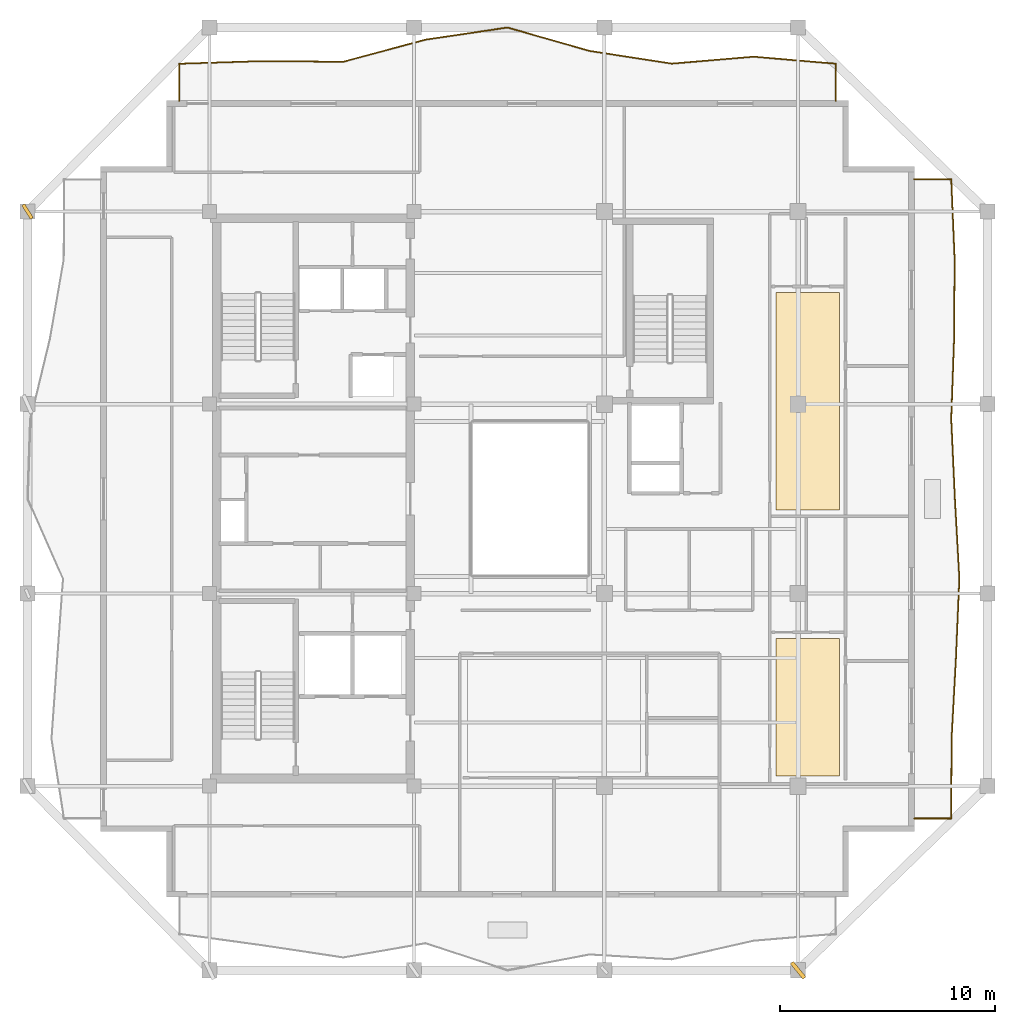
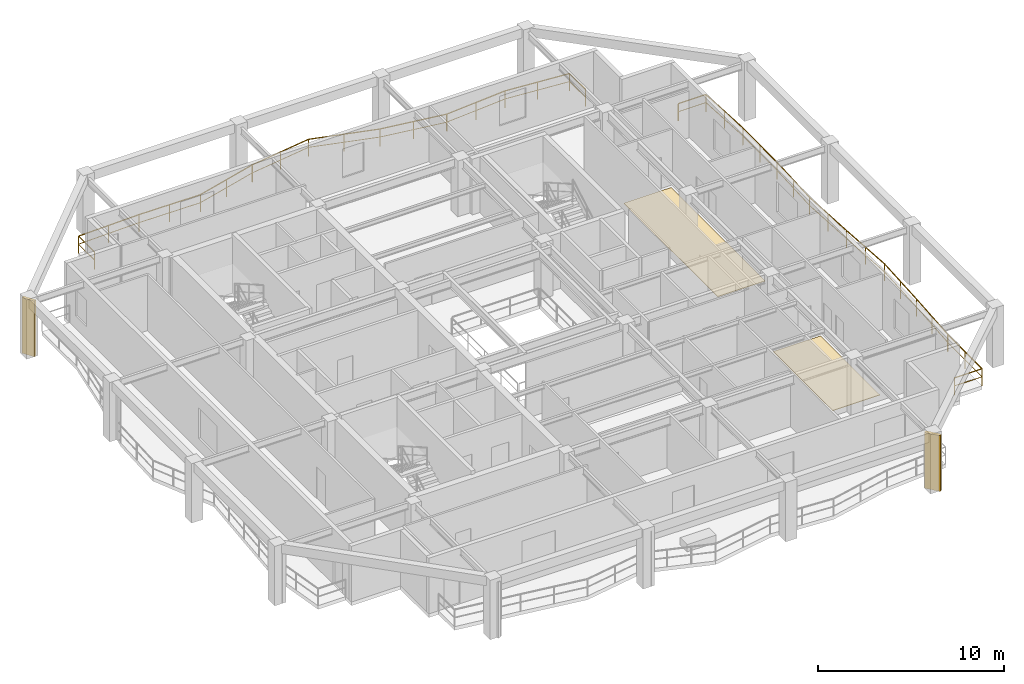
# One storey, part 9 of 10: 2 coverings, 2 railings, 2 shading devices.
"""IFC4 building model written with IfcOpenShell, lengths in metres."""

from ifc_helpers import new_model, si_unit, direction, frame, origin, origin_2d, place, context, subcontext, project, spatial, polyline, rectangle, outline, extrude, material, layer, layer_set, type_object, element, save


model = new_model("IFC4")

# Units and contexts
model_context = context("Model", 3, precision=1e-05, world=origin(), true_north=direction((0.0, 1.0)))
body_context = subcontext(model_context, "Body", "Model", "MODEL_VIEW")
ifc_project = project(units=[si_unit("LENGTHUNIT", "METRE"), si_unit("AREAUNIT", "SQUARE_METRE"), si_unit("VOLUMEUNIT", "CUBIC_METRE"), si_unit("PLANEANGLEUNIT", "RADIAN"), si_unit("MASSUNIT", "GRAM", prefix="KILO")], contexts=[model_context])

# Site, building, storey
site_placement = place(None, origin())
site = spatial("IfcSite", under=ifc_project, at=site_placement, CompositionType="ELEMENT")
building_placement = place(site_placement, origin())
building = spatial("IfcBuilding", under=site, at=building_placement, Name="Kundavana Baori Tower", CompositionType="ELEMENT")
storey_placement = place(building_placement, frame((0.0, 0.0, 272.60009765625)))
storey = spatial("IfcBuildingStorey", under=building, at=storey_placement, Name="L67", CompositionType="ELEMENT", Elevation=272.60009765625)

# Coverings
ifc_material_1 = material(Name="Honed Kota Stone and Terrazzo Flooring", Category="masonry")
ifc_layer = layer(ifc_material_1, 0.030029296875, Name="COV-INT-FLR")
ifc_layer_set = layer_set([ifc_layer], Name="Honed Kota Stone and Terrazzo Flooring")
covering_type = type_object("IfcCoveringType", Name="COV-INT-FLR", PredefinedType="FLOORING", material=ifc_layer_set)
covering_1_placement = place(storey_placement, origin())
element("IfcCovering", 1, at=covering_1_placement, inside=storey, type_object=covering_type, Name="L67 Room Finished Stone Flooring 2", PredefinedType="FLOORING", context=body_context, shape_type="SweptSolid", body=[
    extrude(outline(polyline([(41.780029296875, 15.72998046875), (44.719970703125, 15.72998046875), (44.719970703125, 22.1201171875), (41.780029296875, 22.1201171875), (41.780029296875, 15.72998046875)])), origin(), (0.0, 0.0, 1.0), 0.02978515625),
])
covering_2_placement = place(storey_placement, origin())
element("IfcCovering", 2, at=covering_2_placement, inside=storey, type_object=covering_type, Name="L67 Room Finished Stone Flooring 3", PredefinedType="FLOORING", context=body_context, shape_type="SweptSolid", body=[
    extrude(outline(polyline([(41.780029296875, 28.080078125), (44.719970703125, 28.080078125), (44.719970703125, 38.18994140625), (41.780029296875, 38.18994140625), (41.780029296875, 28.080078125)])), origin(), (0.0, 0.0, 1.0), 0.02978515625),
])

# Railings
ifc_material_2 = material(Name="Architectural Patinated Bronze Metalwork")
railing_type = type_object("IfcRailingType", Name="RL-BAL-1150", PredefinedType="BALUSTRADE", material=ifc_material_2)
railing_1_placement = place(storey_placement, frame((48.199951171875, 43.449951171875, 0.0)))
element("IfcRailing", 3, at=railing_1_placement, inside=storey, type_object=railing_type, Name="L67 Loggia Balcony Balustrade E", PredefinedType="BALUSTRADE", context=body_context, shape_type="SweptSolid", body=[
    extrude(rectangle(XDim=0.048095703125, YDim=0.048095703125, at=origin_2d()), frame((0.0, 0.0, 1.1259765625), z_axis=(1.0, 0.0, 0.0), x_axis=(0.0, 1.0, 0.0)), (0.0, 0.0, 1.0), 1.719970703125),
    extrude(rectangle(XDim=0.03125, YDim=0.03125, at=origin_2d()), frame((0.0, 0.0, 0.597900390625), z_axis=(1.0, 0.0, 0.0), x_axis=(0.0, 1.0, 0.0)), (0.0, 0.0, 1.0), 1.719970703125),
    extrude(rectangle(XDim=0.048095703125, YDim=0.048095703125, at=origin_2d()), frame((1.719970703125, 0.0, 1.1259765625), z_axis=(0.04251611224, -0.999095781294, 0.0), x_axis=(0.999095781294, 0.04251611224, 0.0)), (0.0, 0.0, 1.0), 3.71533203125),
    extrude(rectangle(XDim=0.03125, YDim=0.03125, at=origin_2d()), frame((1.719970703125, 0.0, 0.597900390625), z_axis=(0.04251611224, -0.999095781294, 0.0), x_axis=(0.999095781294, 0.04251611224, 0.0)), (0.0, 0.0, 1.0), 3.71533203125),
    extrude(rectangle(XDim=0.048095703125, YDim=0.048095703125, at=origin_2d()), frame((1.8779296875, -3.7119140625, 1.1259765625), z_axis=(-0.006706404511, -0.999977511816, 0.0), x_axis=(0.999977511816, -0.006706404511, 0.0)), (0.0, 0.0, 1.0), 3.713134765625),
    extrude(rectangle(XDim=0.03125, YDim=0.03125, at=origin_2d()), frame((1.8779296875, -3.7119140625, 0.597900390625), z_axis=(-0.006706404511, -0.999977511816, 0.0), x_axis=(0.999977511816, -0.006706404511, 0.0)), (0.0, 0.0, 1.0), 3.713134765625),
    extrude(rectangle(XDim=0.048095703125, YDim=0.048095703125, at=origin_2d()), frame((1.85302734375, -7.425048828125, 1.1259765625), z_axis=(-0.035813412626, -0.999358493973, 0.0), x_axis=(0.999358493973, -0.035813412626, 0.0)), (0.0, 0.0, 1.0), 3.71533203125),
    extrude(rectangle(XDim=0.03125, YDim=0.03125, at=origin_2d()), frame((1.85302734375, -7.425048828125, 0.597900390625), z_axis=(-0.035813412626, -0.999358493973, 0.0), x_axis=(0.999358493973, -0.035813412626, 0.0)), (0.0, 0.0, 1.0), 3.71533203125),
    extrude(rectangle(XDim=0.048095703125, YDim=0.048095703125, at=origin_2d()), frame((1.719970703125, -11.137939453125, 1.1259765625), z_axis=(0.045795102945, -0.998950853919, 0.0), x_axis=(0.998950853919, 0.045795102945, 0.0)), (0.0, 0.0, 1.0), 3.7158203125),
    extrude(rectangle(XDim=0.03125, YDim=0.03125, at=origin_2d()), frame((1.719970703125, -11.137939453125, 0.597900390625), z_axis=(0.045795102945, -0.998950853919, 0.0), x_axis=(0.998950853919, 0.045795102945, 0.0)), (0.0, 0.0, 1.0), 3.7158203125),
    extrude(rectangle(XDim=0.048095703125, YDim=0.048095703125, at=origin_2d()), frame((1.89013671875, -14.849853515625, 1.1259765625), z_axis=(0.055684593954, -0.998448409281, 0.0), x_axis=(0.998448409281, 0.055684593954, 0.0)), (0.0, 0.0, 1.0), 3.718017578125),
    extrude(rectangle(XDim=0.03125, YDim=0.03125, at=origin_2d()), frame((1.89013671875, -14.849853515625, 0.597900390625), z_axis=(0.055684593954, -0.998448409281, 0.0), x_axis=(0.998448409281, 0.055684593954, 0.0)), (0.0, 0.0, 1.0), 3.718017578125),
    extrude(rectangle(XDim=0.048095703125, YDim=0.048095703125, at=origin_2d()), frame((2.09716796875, -18.56201171875, 1.1259765625), z_axis=(-0.042832826748, -0.999082253347, 0.0), x_axis=(0.999082253347, -0.042832826748, 0.0)), (0.0, 0.0, 1.0), 3.71630859375),
    extrude(rectangle(XDim=0.03125, YDim=0.03125, at=origin_2d()), frame((2.09716796875, -18.56201171875, 0.597900390625), z_axis=(-0.042832826748, -0.999082253347, 0.0), x_axis=(0.999082253347, -0.042832826748, 0.0)), (0.0, 0.0, 1.0), 3.71630859375),
    extrude(rectangle(XDim=0.048095703125, YDim=0.048095703125, at=origin_2d()), frame((1.93798828125, -22.27490234375, 1.1259765625), z_axis=(-0.054295489657, -0.998524911959, 0.0), x_axis=(0.998524911959, -0.054295489657, 0.0)), (0.0, 0.0, 1.0), 3.718505859375),
    extrude(rectangle(XDim=0.03125, YDim=0.03125, at=origin_2d()), frame((1.93798828125, -22.27490234375, 0.597900390625), z_axis=(-0.054295489657, -0.998524911959, 0.0), x_axis=(0.998524911959, -0.054295489657, 0.0)), (0.0, 0.0, 1.0), 3.718505859375),
    extrude(rectangle(XDim=0.048095703125, YDim=0.048095703125, at=origin_2d()), frame((1.736083984375, -25.988037109375, 1.1259765625), z_axis=(-0.004340922005, -0.999990578154, 0.0), x_axis=(0.999990578154, -0.004340922005, 0.0)), (0.0, 0.0, 1.0), 3.7119140625),
    extrude(rectangle(XDim=0.03125, YDim=0.03125, at=origin_2d()), frame((1.736083984375, -25.988037109375, 0.597900390625), z_axis=(-0.004340922005, -0.999990578154, 0.0), x_axis=(0.999990578154, -0.004340922005, 0.0)), (0.0, 0.0, 1.0), 3.7119140625),
    extrude(rectangle(XDim=0.048095703125, YDim=0.048095703125, at=origin_2d()), frame((1.719970703125, -29.699951171875, 1.1259765625), z_axis=(-1.0, 0.0, 0.0), x_axis=(0.0, -1.0, 0.0)), (0.0, 0.0, 1.0), 1.719970703125),
    extrude(rectangle(XDim=0.03125, YDim=0.03125, at=origin_2d()), frame((1.719970703125, -29.699951171875, 0.597900390625), z_axis=(-1.0, 0.0, 0.0), x_axis=(0.0, -1.0, 0.0)), (0.0, 0.0, 1.0), 1.719970703125),
    extrude(rectangle(XDim=0.0419921875, YDim=0.0419921875, at=origin_2d()), origin(), (0.0, 0.0, 1.0), 1.101806640625),
    extrude(rectangle(XDim=0.0419921875, YDim=0.0419921875, at=origin_2d()), frame((1.719970703125, 0.0, 0.0)), (0.0, 0.0, 1.0), 1.101806640625),
    extrude(rectangle(XDim=0.0419921875, YDim=0.0419921875, at=origin_2d()), frame((1.798828125, -1.85595703125, 0.0)), (0.0, 0.0, 1.0), 1.101806640625),
    extrude(rectangle(XDim=0.0419921875, YDim=0.0419921875, at=origin_2d()), frame((1.8779296875, -3.7119140625, 0.0)), (0.0, 0.0, 1.0), 1.101806640625),
    extrude(rectangle(XDim=0.0419921875, YDim=0.0419921875, at=origin_2d()), frame((1.865478515625, -5.568359375, 0.0)), (0.0, 0.0, 1.0), 1.101806640625),
    extrude(rectangle(XDim=0.0419921875, YDim=0.0419921875, at=origin_2d()), frame((1.85302734375, -7.425048828125, 0.0)), (0.0, 0.0, 1.0), 1.101806640625),
    extrude(rectangle(XDim=0.0419921875, YDim=0.0419921875, at=origin_2d()), frame((1.78662109375, -9.281494140625, 0.0)), (0.0, 0.0, 1.0), 1.101806640625),
    extrude(rectangle(XDim=0.0419921875, YDim=0.0419921875, at=origin_2d()), frame((1.719970703125, -11.137939453125, 0.0)), (0.0, 0.0, 1.0), 1.101806640625),
    extrude(rectangle(XDim=0.0419921875, YDim=0.0419921875, at=origin_2d()), frame((1.80517578125, -12.993896484375, 0.0)), (0.0, 0.0, 1.0), 1.101806640625),
    extrude(rectangle(XDim=0.0419921875, YDim=0.0419921875, at=origin_2d()), frame((1.89013671875, -14.849853515625, 0.0)), (0.0, 0.0, 1.0), 1.101806640625),
    extrude(rectangle(XDim=0.0419921875, YDim=0.0419921875, at=origin_2d()), frame((1.99365234375, -16.7060546875, 0.0)), (0.0, 0.0, 1.0), 1.101806640625),
    extrude(rectangle(XDim=0.0419921875, YDim=0.0419921875, at=origin_2d()), frame((2.09716796875, -18.56201171875, 0.0)), (0.0, 0.0, 1.0), 1.101806640625),
    extrude(rectangle(XDim=0.0419921875, YDim=0.0419921875, at=origin_2d()), frame((2.017578125, -20.41845703125, 0.0)), (0.0, 0.0, 1.0), 1.101806640625),
    extrude(rectangle(XDim=0.0419921875, YDim=0.0419921875, at=origin_2d()), frame((1.93798828125, -22.27490234375, 0.0)), (0.0, 0.0, 1.0), 1.101806640625),
    extrude(rectangle(XDim=0.0419921875, YDim=0.0419921875, at=origin_2d()), frame((1.8369140625, -24.13134765625, 0.0)), (0.0, 0.0, 1.0), 1.101806640625),
    extrude(rectangle(XDim=0.0419921875, YDim=0.0419921875, at=origin_2d()), frame((1.736083984375, -25.988037109375, 0.0)), (0.0, 0.0, 1.0), 1.101806640625),
    extrude(rectangle(XDim=0.0419921875, YDim=0.0419921875, at=origin_2d()), frame((1.72802734375, -27.843994140625, 0.0)), (0.0, 0.0, 1.0), 1.101806640625),
    extrude(rectangle(XDim=0.0419921875, YDim=0.0419921875, at=origin_2d()), frame((1.719970703125, -29.699951171875, 0.0)), (0.0, 0.0, 1.0), 1.101806640625),
    extrude(rectangle(XDim=0.0419921875, YDim=0.0419921875, at=origin_2d()), frame((0.0, -29.699951171875, 0.0)), (0.0, 0.0, 1.0), 1.101806640625),
])
railing_2_placement = place(storey_placement, frame((14.050048828125, 47.10009765625, 0.0)))
element("IfcRailing", 4, at=railing_2_placement, inside=storey, type_object=railing_type, Name="L67 Loggia Balcony Balustrade N", PredefinedType="BALUSTRADE", context=body_context, shape_type="SweptSolid", body=[
    extrude(rectangle(XDim=0.048095703125, YDim=0.048095703125, at=origin_2d()), frame((0.0, 0.0, 1.1259765625), z_axis=(0.0, 1.0, 0.0), x_axis=(-1.0, 0.0, 0.0)), (0.0, 0.0, 1.0), 1.719970703125),
    extrude(rectangle(XDim=0.03125, YDim=0.03125, at=origin_2d()), frame((0.0, 0.0, 0.597900390625), z_axis=(0.0, 1.0, 0.0), x_axis=(-1.0, 0.0, 0.0)), (0.0, 0.0, 1.0), 1.719970703125),
    extrude(rectangle(XDim=0.048095703125, YDim=0.048095703125, at=origin_2d()), frame((0.0, 1.719970703125, 1.1259765625), z_axis=(0.999498116958, 0.03167829222, 0.0), x_axis=(-0.03167829222, 0.999498116958, 0.0)), (0.0, 0.0, 1.0), 3.81494140625),
    extrude(rectangle(XDim=0.03125, YDim=0.03125, at=origin_2d()), frame((0.0, 1.719970703125, 0.597900390625), z_axis=(0.999498116958, 0.03167829222, 0.0), x_axis=(-0.03167829222, 0.999498116958, 0.0)), (0.0, 0.0, 1.0), 3.81494140625),
    extrude(rectangle(XDim=0.048095703125, YDim=0.048095703125, at=origin_2d()), frame((3.81298828125, 1.8408203125, 1.1259765625), z_axis=(0.999971444678, -0.007557104552, 0.0), x_axis=(0.007557104552, 0.999971444678, 0.0)), (0.0, 0.0, 1.0), 3.81201171875),
    extrude(rectangle(XDim=0.03125, YDim=0.03125, at=origin_2d()), frame((3.81298828125, 1.8408203125, 0.597900390625), z_axis=(0.999971444678, -0.007557104552, 0.0), x_axis=(0.007557104552, 0.999971444678, 0.0)), (0.0, 0.0, 1.0), 3.81201171875),
    extrude(rectangle(XDim=0.048095703125, YDim=0.048095703125, at=origin_2d()), frame((7.625, 1.81201171875, 1.1259765625), z_axis=(0.965705275153, 0.259640754777, 0.0), x_axis=(-0.259640754777, 0.965705275153, 0.0)), (0.0, 0.0, 1.0), 3.947265625),
    extrude(rectangle(XDim=0.03125, YDim=0.03125, at=origin_2d()), frame((7.625, 1.81201171875, 0.597900390625), z_axis=(0.965705275153, 0.259640754777, 0.0), x_axis=(-0.259640754777, 0.965705275153, 0.0)), (0.0, 0.0, 1.0), 3.947265625),
    extrude(rectangle(XDim=0.048095703125, YDim=0.048095703125, at=origin_2d()), frame((11.43701171875, 2.8369140625, 1.1259765625), z_axis=(0.989274764011, 0.146066564593, 0.0), x_axis=(-0.146066564593, 0.989274764011, 0.0)), (0.0, 0.0, 1.0), 3.854248046875),
    extrude(rectangle(XDim=0.03125, YDim=0.03125, at=origin_2d()), frame((11.43701171875, 2.8369140625, 0.597900390625), z_axis=(0.989274764011, 0.146066564593, 0.0), x_axis=(-0.146066564593, 0.989274764011, 0.0)), (0.0, 0.0, 1.0), 3.854248046875),
    extrude(rectangle(XDim=0.048095703125, YDim=0.048095703125, at=origin_2d()), frame((15.25, 3.39990234375, 1.1259765625), z_axis=(0.961867239853, -0.273516750669, 0.0), x_axis=(0.273516750669, 0.961867239853, 0.0)), (0.0, 0.0, 1.0), 3.963134765625),
    extrude(rectangle(XDim=0.03125, YDim=0.03125, at=origin_2d()), frame((15.25, 3.39990234375, 0.597900390625), z_axis=(0.961867239853, -0.273516750669, 0.0), x_axis=(0.273516750669, 0.961867239853, 0.0)), (0.0, 0.0, 1.0), 3.963134765625),
    extrude(rectangle(XDim=0.048095703125, YDim=0.048095703125, at=origin_2d()), frame((19.06201171875, 2.31591796875, 1.1259765625), z_axis=(0.98819769459, -0.153183929991, 0.0), x_axis=(0.153183929991, 0.98819769459, 0.0)), (0.0, 0.0, 1.0), 3.858642578125),
    extrude(rectangle(XDim=0.03125, YDim=0.03125, at=origin_2d()), frame((19.06201171875, 2.31591796875, 0.597900390625), z_axis=(0.98819769459, -0.153183929991, 0.0), x_axis=(0.153183929991, 0.98819769459, 0.0)), (0.0, 0.0, 1.0), 3.858642578125),
    extrude(rectangle(XDim=0.048095703125, YDim=0.048095703125, at=origin_2d()), frame((22.875, 1.724853515625, 1.1259765625), z_axis=(0.996472310642, 0.083922190886, 0.0), x_axis=(-0.083922190886, 0.996472310642, 0.0)), (0.0, 0.0, 1.0), 3.825439453125),
    extrude(rectangle(XDim=0.03125, YDim=0.03125, at=origin_2d()), frame((22.875, 1.724853515625, 0.597900390625), z_axis=(0.996472310642, 0.083922190886, 0.0), x_axis=(-0.083922190886, 0.996472310642, 0.0)), (0.0, 0.0, 1.0), 3.825439453125),
    extrude(rectangle(XDim=0.048095703125, YDim=0.048095703125, at=origin_2d()), frame((26.68701171875, 2.0458984375, 1.1259765625), z_axis=(0.996366629049, -0.085167719924, 0.0), x_axis=(0.085167719924, 0.996366629049, 0.0)), (0.0, 0.0, 1.0), 3.826904296875),
    extrude(rectangle(XDim=0.03125, YDim=0.03125, at=origin_2d()), frame((26.68701171875, 2.0458984375, 0.597900390625), z_axis=(0.996366629049, -0.085167719924, 0.0), x_axis=(0.085167719924, 0.996366629049, 0.0)), (0.0, 0.0, 1.0), 3.826904296875),
    extrude(rectangle(XDim=0.048095703125, YDim=0.048095703125, at=origin_2d()), frame((30.5, 1.719970703125, 1.1259765625), z_axis=(0.0, -1.0, 0.0), x_axis=(1.0, 0.0, 0.0)), (0.0, 0.0, 1.0), 1.719970703125),
    extrude(rectangle(XDim=0.03125, YDim=0.03125, at=origin_2d()), frame((30.5, 1.719970703125, 0.597900390625), z_axis=(0.0, -1.0, 0.0), x_axis=(1.0, 0.0, 0.0)), (0.0, 0.0, 1.0), 1.719970703125),
    extrude(rectangle(XDim=0.0419921875, YDim=0.0419921875, at=origin_2d()), origin(), (0.0, 0.0, 1.0), 1.101806640625),
    extrude(rectangle(XDim=0.0419921875, YDim=0.0419921875, at=origin_2d()), frame((0.0, 1.719970703125, 0.0)), (0.0, 0.0, 1.0), 1.101806640625),
    extrude(rectangle(XDim=0.0419921875, YDim=0.0419921875, at=origin_2d()), frame((1.906494140625, 1.7802734375, 0.0)), (0.0, 0.0, 1.0), 1.101806640625),
    extrude(rectangle(XDim=0.0419921875, YDim=0.0419921875, at=origin_2d()), frame((3.81298828125, 1.8408203125, 0.0)), (0.0, 0.0, 1.0), 1.101806640625),
    extrude(rectangle(XDim=0.0419921875, YDim=0.0419921875, at=origin_2d()), frame((5.718994140625, 1.826416015625, 0.0)), (0.0, 0.0, 1.0), 1.101806640625),
    extrude(rectangle(XDim=0.0419921875, YDim=0.0419921875, at=origin_2d()), frame((7.625, 1.81201171875, 0.0)), (0.0, 0.0, 1.0), 1.101806640625),
    extrude(rectangle(XDim=0.0419921875, YDim=0.0419921875, at=origin_2d()), frame((9.531005859375, 2.324462890625, 0.0)), (0.0, 0.0, 1.0), 1.101806640625),
    extrude(rectangle(XDim=0.0419921875, YDim=0.0419921875, at=origin_2d()), frame((11.43701171875, 2.8369140625, 0.0)), (0.0, 0.0, 1.0), 1.101806640625),
    extrude(rectangle(XDim=0.0419921875, YDim=0.0419921875, at=origin_2d()), frame((13.343505859375, 3.118408203125, 0.0)), (0.0, 0.0, 1.0), 1.101806640625),
    extrude(rectangle(XDim=0.0419921875, YDim=0.0419921875, at=origin_2d()), frame((15.25, 3.39990234375, 0.0)), (0.0, 0.0, 1.0), 1.101806640625),
    extrude(rectangle(XDim=0.0419921875, YDim=0.0419921875, at=origin_2d()), frame((17.156005859375, 2.85791015625, 0.0)), (0.0, 0.0, 1.0), 1.101806640625),
    extrude(rectangle(XDim=0.0419921875, YDim=0.0419921875, at=origin_2d()), frame((19.06201171875, 2.31591796875, 0.0)), (0.0, 0.0, 1.0), 1.101806640625),
    extrude(rectangle(XDim=0.0419921875, YDim=0.0419921875, at=origin_2d()), frame((20.968505859375, 2.0205078125, 0.0)), (0.0, 0.0, 1.0), 1.101806640625),
    extrude(rectangle(XDim=0.0419921875, YDim=0.0419921875, at=origin_2d()), frame((22.875, 1.724853515625, 0.0)), (0.0, 0.0, 1.0), 1.101806640625),
    extrude(rectangle(XDim=0.0419921875, YDim=0.0419921875, at=origin_2d()), frame((24.781005859375, 1.88525390625, 0.0)), (0.0, 0.0, 1.0), 1.101806640625),
    extrude(rectangle(XDim=0.0419921875, YDim=0.0419921875, at=origin_2d()), frame((26.68701171875, 2.0458984375, 0.0)), (0.0, 0.0, 1.0), 1.101806640625),
    extrude(rectangle(XDim=0.0419921875, YDim=0.0419921875, at=origin_2d()), frame((28.593505859375, 1.8828125, 0.0)), (0.0, 0.0, 1.0), 1.101806640625),
    extrude(rectangle(XDim=0.0419921875, YDim=0.0419921875, at=origin_2d()), frame((30.5, 1.719970703125, 0.0)), (0.0, 0.0, 1.0), 1.101806640625),
    extrude(rectangle(XDim=0.0419921875, YDim=0.0419921875, at=origin_2d()), frame((30.5, 0.0, 0.0)), (0.0, 0.0, 1.0), 1.101806640625),
])

# Shading devices
ifc_material_3 = material(Name="Red-Buff Dholpur Sandstone Cladding on Concrete C40/50", Category="masonry")
shading_device_type_1 = type_object("IfcShadingDeviceType", Name="SHD-FIN-750", PredefinedType="JALOUSIE", material=ifc_material_3)
shading_device_1_placement = place(storey_placement, frame((7.0, 41.949951171875, 0.0), z_axis=(0.0, 0.0, 1.0), x_axis=(0.844888578952, 0.534942323205, 0.0)))
element("IfcShadingDevice", 5, at=shading_device_1_placement, inside=storey, type_object=shading_device_type_1, Name="L67 Sweeping Dholpur Sandstone Facade Fin 8", PredefinedType="JALOUSIE", context=body_context, shape_type="SweptSolid", body=[
    extrude(rectangle(XDim=0.159912109375, YDim=0.75, at=origin_2d()), origin(), (0.0, 0.0, 1.0), 3.659912109375),
])
ifc_material_4 = material(Name="Red-Buff Dholpur Sandstone Cladding on Concrete C40/50", Category="masonry")
shading_device_type_2 = type_object("IfcShadingDeviceType", Name="SHD-FIN-920", PredefinedType="JALOUSIE", material=ifc_material_4)
shading_device_2_placement = place(storey_placement, frame((42.800048828125, 6.699951171875, 0.0), z_axis=(0.0, 0.0, 1.0), x_axis=(0.773397837916, 0.633920960614, 0.0)))
element("IfcShadingDevice", 6, at=shading_device_2_placement, inside=storey, type_object=shading_device_type_2, Name="L67 Sweeping Dholpur Sandstone Facade Fin 4", PredefinedType="JALOUSIE", context=body_context, shape_type="SweptSolid", body=[
    extrude(rectangle(XDim=0.179931640625, YDim=0.919921875, at=origin_2d()), origin(), (0.0, 0.0, 1.0), 3.659912109375),
])

save(model, "model.ifc")
